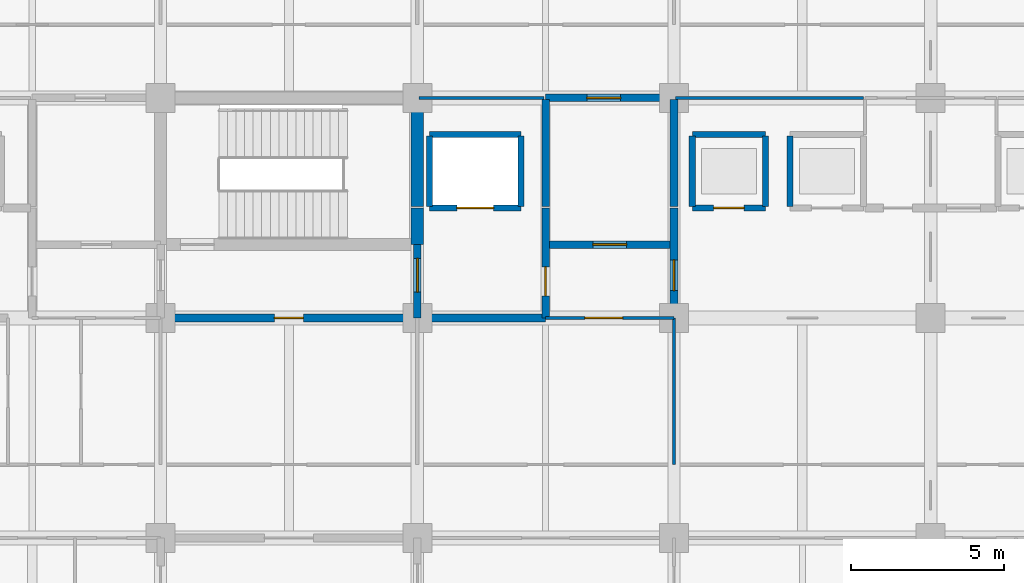
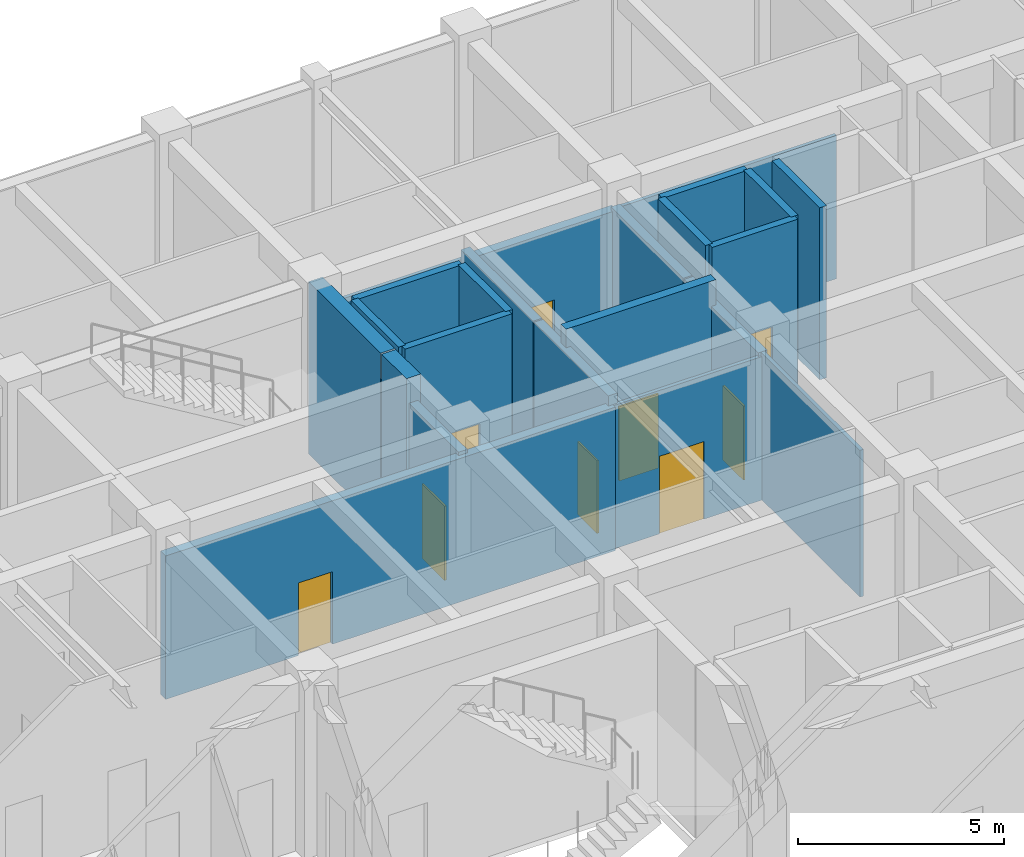
# One storey, part 29 of 48: 23 walls, 9 doors, 9 openings.
"""IFC4 building model written with IfcOpenShell, lengths in metres."""

from ifc_helpers import new_model, si_unit, direction, frame, frame_2d, origin, place, context, subcontext, project, spatial, rectangle, extrude, material, layer, layer_set, type_object, element, fill, save


model = new_model("IFC4")

# Units and contexts
model_context = context("Model", 3, precision=1e-05, world=origin(), true_north=direction((0.0, 1.0)))
body_context = subcontext(model_context, "Body", "Model", "MODEL_VIEW")
ifc_project = project(units=[si_unit("LENGTHUNIT", "METRE"), si_unit("AREAUNIT", "SQUARE_METRE"), si_unit("VOLUMEUNIT", "CUBIC_METRE"), si_unit("PLANEANGLEUNIT", "RADIAN"), si_unit("MASSUNIT", "GRAM", prefix="KILO")], contexts=[model_context])

# Site, building, storey
site_placement = place(None, origin())
site = spatial("IfcSite", under=ifc_project, at=site_placement, CompositionType="ELEMENT")
building_placement = place(site_placement, origin())
building = spatial("IfcBuilding", under=site, at=building_placement, Name="Chengyuan Square Courthouse", CompositionType="ELEMENT")
storey_placement = place(building_placement, frame((0.0, 0.0, -5.39990234375)))
storey = spatial("IfcBuildingStorey", under=building, at=storey_placement, Name="B01", CompositionType="ELEMENT", Elevation=-5.39990234375)

# Wall, opening, door
ifc_material_1 = material(Name="Concrete C40", Category="concrete")
ifc_layer_1 = layer(ifc_material_1, 0.25)
ifc_layer_set_1 = layer_set([ifc_layer_1], Name="Concrete C40")
wall_type_1 = type_object("IfcWallType", Name="WL-FW1", PredefinedType="STANDARD", material=ifc_layer_set_1)
wall_1_placement = place(storey_placement, frame((58.800048828125, 100.800048828125, 0.0), z_axis=(0.0, 0.0, 1.0), x_axis=(1.0, 0.0, 0.0)))
wall_1 = element("IfcWall", 1, at=wall_1_placement, inside=storey, type_object=wall_type_1, Name="Interior Wall WL-B01-I358", PredefinedType="STANDARD", context=body_context, shape_type="SweptSolid", body=[
    extrude(rectangle(XDim=12.599853515625, YDim=0.25, at=frame_2d((6.2998046875, 0.0))), origin(), (0.0, 0.0, 1.0), 4.25),
])
opening_1_placement = place(wall_1_placement, frame((3.72509765625, 0.0, 0.0)))
opening_1 = element("IfcOpeningElement", 2, at=opening_1_placement, cuts=wall_1, Name="Opening DR-347", PredefinedType="OPENING", context=body_context, shape_type="SweptSolid", body=[
    extrude(rectangle(XDim=0.949951171875, YDim=2.14990234375, at=frame_2d((0.47509765625, 1.074951171875))), frame((0.0, 0.136962890625, 0.0), z_axis=(0.0, -1.0, 0.0), x_axis=(1.0, 0.0, 0.0)), (0.0, 0.0, 1.0), 0.27392578125),
])
ifc_material_2 = material(Name="Steel Q235B Fire Door", Category="steel")
door_type_1 = type_object("IfcDoorType", Name="DT-12", OperationType="NOTDEFINED", PredefinedType="DOOR", material=ifc_material_2)
door_1_placement = place(opening_1_placement, origin())
door_1 = element("IfcDoor", 3, at=door_1_placement, inside=storey, type_object=door_type_1, Name="Interior Door DR-347", OperationType="SINGLE_SWING_RIGHT", OverallHeight=2.14990234375, OverallWidth=0.949951171875, PredefinedType="DOOR", context=body_context, shape_type="SweptSolid", body=[
    extrude(rectangle(XDim=0.949951171875, YDim=2.14990234375, at=frame_2d((0.47509765625, 1.074951171875))), frame((0.0, 0.02490234375, 0.0), z_axis=(0.0, -1.0, 0.0), x_axis=(1.0, 0.0, 0.0)), (0.0, 0.0, 1.0), 0.050048828125),
])
fill(opening_1, door_1)

wall_2_placement = place(storey_placement, frame((71.39990234375, 103.199951171875, 0.0), z_axis=(0.0, 0.0, 1.0), x_axis=(1.0, 0.0, 0.0)))
wall_2 = element("IfcWall", 4, at=wall_2_placement, inside=storey, type_object=wall_type_1, Name="Interior Wall WL-B01-I374", PredefinedType="STANDARD", context=body_context, shape_type="SweptSolid", body=[
    extrude(rectangle(XDim=4.2001953125, YDim=0.25, at=frame_2d((2.10009765625, 0.0))), origin(), (0.0, 0.0, 1.0), 5.099853515625),
])
opening_2_placement = place(wall_2_placement, frame((1.550048828125, 0.0, 0.0)))
opening_2 = element("IfcOpeningElement", 5, at=opening_2_placement, cuts=wall_2, Name="Opening DR-399", PredefinedType="OPENING", context=body_context, shape_type="SweptSolid", body=[
    extrude(rectangle(XDim=1.10009765625, YDim=2.199951171875, at=frame_2d((0.550048828125, 1.10009765625))), frame((0.0, 0.136962890625, 0.0), z_axis=(0.0, -1.0, 0.0), x_axis=(1.0, 0.0, 0.0)), (0.0, 0.0, 1.0), 0.27392578125),
])
door_type_2 = type_object("IfcDoorType", Name="DT-10", OperationType="NOTDEFINED", PredefinedType="DOOR", material=ifc_material_2)
door_2_placement = place(opening_2_placement, origin())
door_2 = element("IfcDoor", 6, at=door_2_placement, inside=storey, type_object=door_type_2, Name="Interior Door DR-399", OperationType="SINGLE_SWING_LEFT", OverallHeight=2.199951171875, OverallWidth=1.10009765625, PredefinedType="DOOR", context=body_context, shape_type="SweptSolid", body=[
    extrude(rectangle(XDim=1.10009765625, YDim=2.199951171875, at=frame_2d((0.550048828125, 1.10009765625))), frame((0.0, 0.02490234375, 0.0), z_axis=(0.0, -1.0, 0.0), x_axis=(1.0, 0.0, 0.0)), (0.0, 0.0, 1.0), 0.050048828125),
])
fill(opening_2, door_2)

wall_3_placement = place(storey_placement, frame((71.39990234375, 108.0, 0.0), z_axis=(0.0, 0.0, 1.0), x_axis=(1.0, 0.0, 0.0)))
wall_3 = element("IfcWall", 7, at=wall_3_placement, inside=storey, type_object=wall_type_1, Name="Interior Wall WL-B01-I413", PredefinedType="STANDARD", context=body_context, shape_type="SweptSolid", body=[
    extrude(rectangle(XDim=4.2001953125, YDim=0.25, at=frame_2d((2.10009765625, 0.0))), origin(), (0.0, 0.0, 1.0), 4.25),
])
opening_3_placement = place(wall_3_placement, frame((1.3525390625, 0.0, 0.0)))
opening_3 = element("IfcOpeningElement", 8, at=opening_3_placement, cuts=wall_3, Name="Opening DR-402", PredefinedType="OPENING", context=body_context, shape_type="SweptSolid", body=[
    extrude(rectangle(XDim=1.10009765625, YDim=2.199951171875, at=frame_2d((0.550048828125, 1.10009765625))), frame((0.0, 0.136962890625, 0.0), z_axis=(0.0, -1.0, 0.0), x_axis=(1.0, 0.0, 0.0)), (0.0, 0.0, 1.0), 0.27392578125),
])
door_3_placement = place(opening_3_placement, origin())
door_3 = element("IfcDoor", 9, at=door_3_placement, inside=storey, type_object=door_type_2, Name="Interior Door DR-402", OperationType="SINGLE_SWING_RIGHT", OverallHeight=2.199951171875, OverallWidth=1.10009765625, PredefinedType="DOOR", context=body_context, shape_type="SweptSolid", body=[
    extrude(rectangle(XDim=1.10009765625, YDim=2.199951171875, at=frame_2d((0.550048828125, 1.10009765625))), frame((0.0, 0.02490234375, 0.0), z_axis=(0.0, -1.0, 0.0), x_axis=(1.0, 0.0, 0.0)), (0.0, 0.0, 1.0), 0.050048828125),
])
fill(opening_3, door_3)

wall_4_placement = place(storey_placement, frame((67.199951171875, 100.800048828125, 0.0), z_axis=(0.0, 0.0, 1.0), x_axis=(0.0, 1.0, 0.0)))
wall_4 = element("IfcWall", 10, at=wall_4_placement, inside=storey, type_object=wall_type_1, Name="Interior Wall WL-B01-I496", PredefinedType="STANDARD", context=body_context, shape_type="SweptSolid", body=[
    extrude(rectangle(XDim=2.39990234375, YDim=0.25, at=frame_2d((1.199951171875, 0.0))), origin(), (0.0, 0.0, 1.0), 4.349853515625),
])
opening_4_placement = place(wall_4_placement, frame((0.847412109375, 0.0, 0.0)))
opening_4 = element("IfcOpeningElement", 11, at=opening_4_placement, cuts=wall_4, Name="Opening DR-345", PredefinedType="OPENING", context=body_context, shape_type="SweptSolid", body=[
    extrude(rectangle(XDim=1.10009765625, YDim=2.199951171875, at=frame_2d((0.550048828125, 1.10009765625))), frame((0.0, 0.136962890625, 0.0), z_axis=(0.0, -1.0, 0.0), x_axis=(1.0, 0.0, 0.0)), (0.0, 0.0, 1.0), 0.27392578125),
])
door_4_placement = place(opening_4_placement, origin())
door_4 = element("IfcDoor", 12, at=door_4_placement, inside=storey, type_object=door_type_2, Name="Interior Door DR-345", OperationType="SINGLE_SWING_RIGHT", OverallHeight=2.199951171875, OverallWidth=1.10009765625, PredefinedType="DOOR", context=body_context, shape_type="SweptSolid", body=[
    extrude(rectangle(XDim=1.10009765625, YDim=2.199951171875, at=frame_2d((0.550048828125, 1.10009765625))), frame((0.0, 0.02490234375, 0.0), z_axis=(0.0, -1.0, 0.0), x_axis=(1.0, 0.0, 0.0)), (0.0, 0.0, 1.0), 0.050048828125),
])
fill(opening_4, door_4)

wall_5_placement = place(storey_placement, frame((71.39990234375, 100.800048828125, 0.0), z_axis=(0.0, 0.0, 1.0), x_axis=(0.0, 1.0, 0.0)))
wall_5 = element("IfcWall", 13, at=wall_5_placement, inside=storey, type_object=wall_type_1, Name="Interior Wall WL-B01-I504", PredefinedType="STANDARD", context=body_context, shape_type="SweptSolid", body=[
    extrude(rectangle(XDim=3.599853515625, YDim=0.25, at=frame_2d((1.7998046875, 0.0))), origin(), (0.0, 0.0, 1.0), 4.5498046875),
])
opening_5_placement = place(wall_5_placement, frame((0.72509765625, 0.0, 0.0)))
opening_5 = element("IfcOpeningElement", 14, at=opening_5_placement, cuts=wall_5, Name="Opening DR-398", PredefinedType="OPENING", context=body_context, shape_type="SweptSolid", body=[
    extrude(rectangle(XDim=0.949951171875, YDim=2.14990234375, at=frame_2d((0.47509765625, 1.074951171875))), frame((0.0, 0.136962890625, 0.0), z_axis=(0.0, -1.0, 0.0), x_axis=(1.0, 0.0, 0.0)), (0.0, 0.0, 1.0), 0.27392578125),
])
door_5_placement = place(opening_5_placement, origin())
door_5 = element("IfcDoor", 15, at=door_5_placement, inside=storey, type_object=door_type_1, Name="Interior Door DR-398", OperationType="SINGLE_SWING_RIGHT", OverallHeight=2.14990234375, OverallWidth=0.949951171875, PredefinedType="DOOR", context=body_context, shape_type="SweptSolid", body=[
    extrude(rectangle(XDim=0.949951171875, YDim=2.14990234375, at=frame_2d((0.47509765625, 1.074951171875))), frame((0.0, 0.02490234375, 0.0), z_axis=(0.0, -1.0, 0.0), x_axis=(1.0, 0.0, 0.0)), (0.0, 0.0, 1.0), 0.050048828125),
])
fill(opening_5, door_5)

# Wall
wall_6_placement = place(storey_placement, frame((71.39990234375, 104.449951171875, 0.0), z_axis=(0.0, 0.0, 1.0), x_axis=(0.0, 1.0, 0.0)))
element("IfcWall", 16, at=wall_6_placement, inside=storey, type_object=wall_type_1, Name="Interior Wall WL-B01-I505", PredefinedType="STANDARD", context=body_context, shape_type="SweptSolid", body=[
    extrude(rectangle(XDim=3.5, YDim=0.25, at=frame_2d((1.75, 0.0))), origin(), (0.0, 0.0, 1.0), 4.5498046875),
])

# Wall, opening, door
wall_7_placement = place(storey_placement, frame((75.60009765625, 100.800048828125, 0.0), z_axis=(0.0, 0.0, 1.0), x_axis=(0.0, 1.0, 0.0)))
wall_7 = element("IfcWall", 17, at=wall_7_placement, inside=storey, type_object=wall_type_1, Name="Interior Wall WL-B01-I513", PredefinedType="STANDARD", context=body_context, shape_type="SweptSolid", body=[
    extrude(rectangle(XDim=3.599853515625, YDim=0.25, at=frame_2d((1.7998046875, 0.0))), origin(), (0.0, 0.0, 1.0), 4.349853515625),
])
opening_6_placement = place(wall_7_placement, frame((0.8974609375, 0.0, 0.0)))
opening_6 = element("IfcOpeningElement", 18, at=opening_6_placement, cuts=wall_7, Name="Opening DR-400", PredefinedType="OPENING", context=body_context, shape_type="SweptSolid", body=[
    extrude(rectangle(XDim=1.0, YDim=2.199951171875, at=frame_2d((0.5, 1.10009765625))), frame((0.0, 0.136962890625, 0.0), z_axis=(0.0, -1.0, 0.0), x_axis=(1.0, 0.0, 0.0)), (0.0, 0.0, 1.0), 0.27392578125),
])
door_type_3 = type_object("IfcDoorType", Name="DT-11", OperationType="NOTDEFINED", PredefinedType="DOOR", material=ifc_material_2)
door_6_placement = place(opening_6_placement, origin())
door_6 = element("IfcDoor", 19, at=door_6_placement, inside=storey, type_object=door_type_3, Name="Interior Door DR-400", OperationType="SINGLE_SWING_RIGHT", OverallHeight=2.199951171875, OverallWidth=1.0, PredefinedType="DOOR", context=body_context, shape_type="SweptSolid", body=[
    extrude(rectangle(XDim=1.0, YDim=2.199951171875, at=frame_2d((0.5, 1.10009765625))), frame((0.0, 0.02490234375, 0.0), z_axis=(0.0, -1.0, 0.0), x_axis=(1.0, 0.0, 0.0)), (0.0, 0.0, 1.0), 0.050048828125),
])
fill(opening_6, door_6)

# Wall
wall_8_placement = place(storey_placement, frame((75.60009765625, 104.449951171875, 0.0), z_axis=(0.0, 0.0, 1.0), x_axis=(0.0, 1.0, 0.0)))
element("IfcWall", 20, at=wall_8_placement, inside=storey, type_object=wall_type_1, Name="Interior Wall WL-B01-I514", PredefinedType="STANDARD", context=body_context, shape_type="SweptSolid", body=[
    extrude(rectangle(XDim=3.5, YDim=0.25, at=frame_2d((1.75, 0.0))), origin(), (0.0, 0.0, 1.0), 4.349853515625),
])

# Wall, opening, door
ifc_material_3 = material(Name="Gypsum Plasterboard Acoustic Stud Partition")
ifc_layer_2 = layer(ifc_material_3, 0.10009765625)
ifc_layer_set_2 = layer_set([ifc_layer_2], Name="Gypsum Plasterboard Acoustic Stud Partition")
wall_type_2 = type_object("IfcWallType", Name="WL-PT6", PredefinedType="STANDARD", material=ifc_layer_set_2)
wall_9_placement = place(storey_placement, frame((71.39990234375, 100.800048828125, 0.0), z_axis=(0.0, 0.0, 1.0), x_axis=(1.0, 0.0, 0.0)))
wall_9 = element("IfcWall", 21, at=wall_9_placement, inside=storey, type_object=wall_type_2, Name="Interior Wall WL-B01-I359", PredefinedType="STANDARD", context=body_context, shape_type="SweptSolid", body=[
    extrude(rectangle(XDim=4.2001953125, YDim=0.10009765625, at=frame_2d((2.10009765625, 0.0))), origin(), (0.0, 0.0, 1.0), 4.25),
])
opening_7_placement = place(wall_9_placement, frame((1.282470703125, 0.0, 0.0)))
opening_7 = element("IfcOpeningElement", 22, at=opening_7_placement, cuts=wall_9, Name="Opening DR-401", PredefinedType="OPENING", context=body_context, shape_type="SweptSolid", body=[
    extrude(rectangle(XDim=1.239990234375, YDim=2.300048828125, at=frame_2d((0.6201171875, 1.14990234375))), frame((0.0, 0.06201171875, 0.0), z_axis=(0.0, -1.0, 0.0), x_axis=(1.0, 0.0, 0.0)), (0.0, 0.0, 1.0), 0.1240234375),
])
ifc_material_4 = material(Name="Acoustic Solid-Core Timber Door", Category="wood")
door_type_4 = type_object("IfcDoorType", Name="DT-37", OperationType="NOTDEFINED", PredefinedType="DOOR", material=ifc_material_4)
door_7_placement = place(opening_7_placement, origin())
door_7 = element("IfcDoor", 23, at=door_7_placement, inside=storey, type_object=door_type_4, Name="Interior Door DR-401", OperationType="SINGLE_SWING_LEFT", OverallHeight=2.300048828125, OverallWidth=1.239990234375, PredefinedType="DOOR", context=body_context, shape_type="SweptSolid", body=[
    extrude(rectangle(XDim=1.239990234375, YDim=2.300048828125, at=frame_2d((0.6201171875, 1.14990234375))), frame((0.0, 0.02490234375, 0.0), z_axis=(0.0, -1.0, 0.0), x_axis=(1.0, 0.0, 0.0)), (0.0, 0.0, 1.0), 0.050048828125),
])
fill(opening_7, door_7)

# Walls
wall_10_placement = place(storey_placement, frame((67.25, 108.0, 0.0), z_axis=(0.0, 0.0, 1.0), x_axis=(1.0, 0.0, 0.0)))
element("IfcWall", 24, at=wall_10_placement, inside=storey, type_object=wall_type_2, Name="Interior Wall WL-B01-I412", PredefinedType="STANDARD", context=body_context, shape_type="SweptSolid", body=[
    extrude(rectangle(XDim=4.10009765625, YDim=0.10009765625, at=frame_2d((2.050048828125, 0.0))), origin(), (0.0, 0.0, 1.0), 4.25),
])
wall_11_placement = place(storey_placement, frame((75.64990234375, 108.0, 0.0), z_axis=(0.0, 0.0, 1.0), x_axis=(1.0, 0.0, 0.0)))
element("IfcWall", 25, at=wall_11_placement, inside=storey, type_object=wall_type_2, Name="Interior Wall WL-B01-I414", PredefinedType="STANDARD", context=body_context, shape_type="SweptSolid", body=[
    extrude(rectangle(XDim=6.150146484375, YDim=0.10009765625, at=frame_2d((3.0751953125, 0.0))), origin(), (0.0, 0.0, 1.0), 4.25),
])
wall_12_placement = place(storey_placement, frame((75.60009765625, 96.0, 0.0), z_axis=(0.0, 0.0, 1.0), x_axis=(0.0, 1.0, 0.0)))
element("IfcWall", 26, at=wall_12_placement, inside=storey, type_object=wall_type_2, Name="Interior Wall WL-B01-I512", PredefinedType="STANDARD", context=body_context, shape_type="SweptSolid", body=[
    extrude(rectangle(XDim=4.800048828125, YDim=0.10009765625, at=frame_2d((2.39990234375, 0.0))), origin(), (0.0, 0.0, 1.0), 4.349853515625),
])

# Wall, opening, door
ifc_material_5 = material(Name="Reinforced Masonry Shaft Enclosure", Category="masonry")
ifc_layer_3 = layer(ifc_material_5, 0.199951171875)
ifc_layer_set_3 = layer_set([ifc_layer_3], Name="Reinforced Masonry Shaft Enclosure")
wall_type_3 = type_object("IfcWallType", Name="WL-SH1", PredefinedType="STANDARD", material=ifc_layer_set_3)
wall_13_placement = place(storey_placement, frame((67.60009765625, 104.39990234375, 0.0), z_axis=(0.0, 0.0, 1.0), x_axis=(1.0, 0.0, 0.0)))
wall_13 = element("IfcWall", 27, at=wall_13_placement, inside=storey, type_object=wall_type_3, Name="Interior Wall WL-B01-I384", PredefinedType="STANDARD", context=body_context, shape_type="SweptSolid", body=[
    extrude(rectangle(XDim=3.0, YDim=0.199951171875, at=frame_2d((1.5, 0.0))), origin(), (0.0, 0.0, 1.0), 5.099853515625),
])
opening_8_placement = place(wall_13_placement, frame((0.89990234375, 0.0, 0.0)))
opening_8 = element("IfcOpeningElement", 28, at=opening_8_placement, cuts=wall_13, Name="Opening LD-005", PredefinedType="OPENING", context=body_context, shape_type="SweptSolid", body=[
    extrude(rectangle(XDim=1.199951171875, YDim=2.14990234375, at=frame_2d((0.60009765625, 1.074951171875))), frame((0.0, 0.112060546875, 0.0), z_axis=(0.0, -1.0, 0.0), x_axis=(1.0, 0.0, 0.0)), (0.0, 0.0, 1.0), 0.223876953125),
])
ifc_material_6 = material(Name="Stainless Steel S30408 Lift Landing Door", Category="steel")
door_type_5 = type_object("IfcDoorType", Name="DT-05", OperationType="DOUBLE_DOOR_SLIDING", PredefinedType="DOOR", material=ifc_material_6)
door_8_placement = place(opening_8_placement, origin())
door_8 = element("IfcDoor", 29, at=door_8_placement, inside=storey, type_object=door_type_5, Name="Lift Landing Door LF-F1 B01", OperationType="DOUBLE_DOOR_SLIDING", OverallHeight=2.14990234375, OverallWidth=1.199951171875, PredefinedType="DOOR", context=body_context, shape_type="SweptSolid", body=[
    extrude(rectangle(XDim=1.199951171875, YDim=2.14990234375, at=frame_2d((0.60009765625, 1.074951171875))), frame((0.0, 0.02490234375, 0.0), z_axis=(0.0, -1.0, 0.0), x_axis=(1.0, 0.0, 0.0)), (0.0, 0.0, 1.0), 0.050048828125),
])
fill(opening_8, door_8)

wall_14_placement = place(storey_placement, frame((76.199951171875, 104.39990234375, 0.0), z_axis=(0.0, 0.0, 1.0), x_axis=(1.0, 0.0, 0.0)))
wall_14 = element("IfcWall", 30, at=wall_14_placement, inside=storey, type_object=wall_type_3, Name="Interior Wall WL-B01-I385", PredefinedType="STANDARD", context=body_context, shape_type="SweptSolid", body=[
    extrude(rectangle(XDim=2.400146484375, YDim=0.199951171875, at=frame_2d((1.2001953125, 0.0))), origin(), (0.0, 0.0, 1.0), 5.099853515625),
])
opening_9_placement = place(wall_14_placement, frame((0.699951171875, 0.0, 0.0)))
opening_9 = element("IfcOpeningElement", 31, at=opening_9_placement, cuts=wall_14, Name="Opening LD-009", PredefinedType="OPENING", context=body_context, shape_type="SweptSolid", body=[
    extrude(rectangle(XDim=1.0, YDim=2.14990234375, at=frame_2d((0.5, 1.074951171875))), frame((0.0, 0.112060546875, 0.0), z_axis=(0.0, -1.0, 0.0), x_axis=(1.0, 0.0, 0.0)), (0.0, 0.0, 1.0), 0.223876953125),
])
door_type_6 = type_object("IfcDoorType", Name="DT-07", OperationType="DOUBLE_DOOR_SLIDING", PredefinedType="DOOR", material=ifc_material_6)
door_9_placement = place(opening_9_placement, origin())
door_9 = element("IfcDoor", 32, at=door_9_placement, inside=storey, type_object=door_type_6, Name="Lift Landing Door LF-J1 B01", OperationType="DOUBLE_DOOR_SLIDING", OverallHeight=2.14990234375, OverallWidth=1.0, PredefinedType="DOOR", context=body_context, shape_type="SweptSolid", body=[
    extrude(rectangle(XDim=1.0, YDim=2.14990234375, at=frame_2d((0.5, 1.074951171875))), frame((0.0, 0.02490234375, 0.0), z_axis=(0.0, -1.0, 0.0), x_axis=(1.0, 0.0, 0.0)), (0.0, 0.0, 1.0), 0.050048828125),
])
fill(opening_9, door_9)

# Walls
wall_15_placement = place(storey_placement, frame((67.60009765625, 106.800048828125, 0.0), z_axis=(0.0, 0.0, 1.0), x_axis=(1.0, 0.0, 0.0)))
element("IfcWall", 33, at=wall_15_placement, inside=storey, type_object=wall_type_3, Name="Interior Wall WL-B01-I396", PredefinedType="STANDARD", context=body_context, shape_type="SweptSolid", body=[
    extrude(rectangle(XDim=3.0, YDim=0.199951171875, at=frame_2d((1.5, 0.0))), origin(), (0.0, 0.0, 1.0), 5.099853515625),
])
wall_16_placement = place(storey_placement, frame((76.199951171875, 106.800048828125, 0.0), z_axis=(0.0, 0.0, 1.0), x_axis=(1.0, 0.0, 0.0)))
element("IfcWall", 34, at=wall_16_placement, inside=storey, type_object=wall_type_3, Name="Interior Wall WL-B01-I397", PredefinedType="STANDARD", context=body_context, shape_type="SweptSolid", body=[
    extrude(rectangle(XDim=2.400146484375, YDim=0.199951171875, at=frame_2d((1.2001953125, 0.0))), origin(), (0.0, 0.0, 1.0), 5.099853515625),
])
for number, where, z_axis, x_axis, name in (
    (35, (67.60009765625, 104.449951171875, 0.0), (0.0, 0.0, 1.0), (0.0, 1.0, 0.0), "Interior Wall WL-B01-I501"),
    (36, (70.60009765625, 104.449951171875, 0.0), (0.0, 0.0, 1.0), (0.0, 1.0, 0.0), "Interior Wall WL-B01-I503"),
    (37, (76.199951171875, 104.449951171875, 0.0), (0.0, 0.0, 1.0), (0.0, 1.0, 0.0), "Interior Wall WL-B01-I516"),
    (38, (78.60009765625, 104.449951171875, 0.0), (0.0, 0.0, 1.0), (0.0, 1.0, 0.0), "Interior Wall WL-B01-I519"),
    (39, (79.39990234375, 104.449951171875, 0.0), (0.0, 0.0, 1.0), (0.0, 1.0, 0.0), "Interior Wall WL-B01-I520"),
):
    element("IfcWall", number, at=place(storey_placement, frame(where, z_axis=z_axis, x_axis=x_axis)), inside=storey, type_object=wall_type_3, Name=name, PredefinedType="STANDARD", context=body_context, shape_type="SweptSolid", body=[
        extrude(rectangle(XDim=2.300048828125, YDim=0.199951171875, at=frame_2d((1.14990234375, 0.0))), origin(), (0.0, 0.0, 1.0), 5.099853515625),
    ])
ifc_material_7 = material(Name="Concrete C50", Category="concrete")
ifc_layer_4 = layer(ifc_material_7, 0.39990234375)
ifc_layer_set_4 = layer_set([ifc_layer_4], Name="Concrete C50")
wall_type_4 = type_object("IfcWallType", Name="WL-SW1", PredefinedType="SHEAR", material=ifc_layer_set_4)
wall_17_placement = place(storey_placement, frame((67.199951171875, 103.199951171875, 0.0), z_axis=(0.0, 0.0, 1.0), x_axis=(0.0, 1.0, 0.0)))
element("IfcWall", 40, at=wall_17_placement, inside=storey, type_object=wall_type_4, Name="Interior Wall WL-B01-I497", PredefinedType="SHEAR", context=body_context, shape_type="SweptSolid", body=[
    extrude(rectangle(XDim=1.199951171875, YDim=0.39990234375, at=frame_2d((0.60009765625, 0.0))), origin(), (0.0, 0.0, 1.0), 5.099853515625),
])
wall_18_placement = place(storey_placement, frame((67.199951171875, 104.449951171875, 0.0), z_axis=(0.0, 0.0, 1.0), x_axis=(0.0, 1.0, 0.0)))
element("IfcWall", 41, at=wall_18_placement, inside=storey, type_object=wall_type_4, Name="Interior Wall WL-B01-I498", PredefinedType="SHEAR", context=body_context, shape_type="SweptSolid", body=[
    extrude(rectangle(XDim=3.5, YDim=0.39990234375, at=frame_2d((1.75, 0.0))), origin(), (0.0, 0.0, 1.0), 5.099853515625),
])

save(model, "model.ifc")
